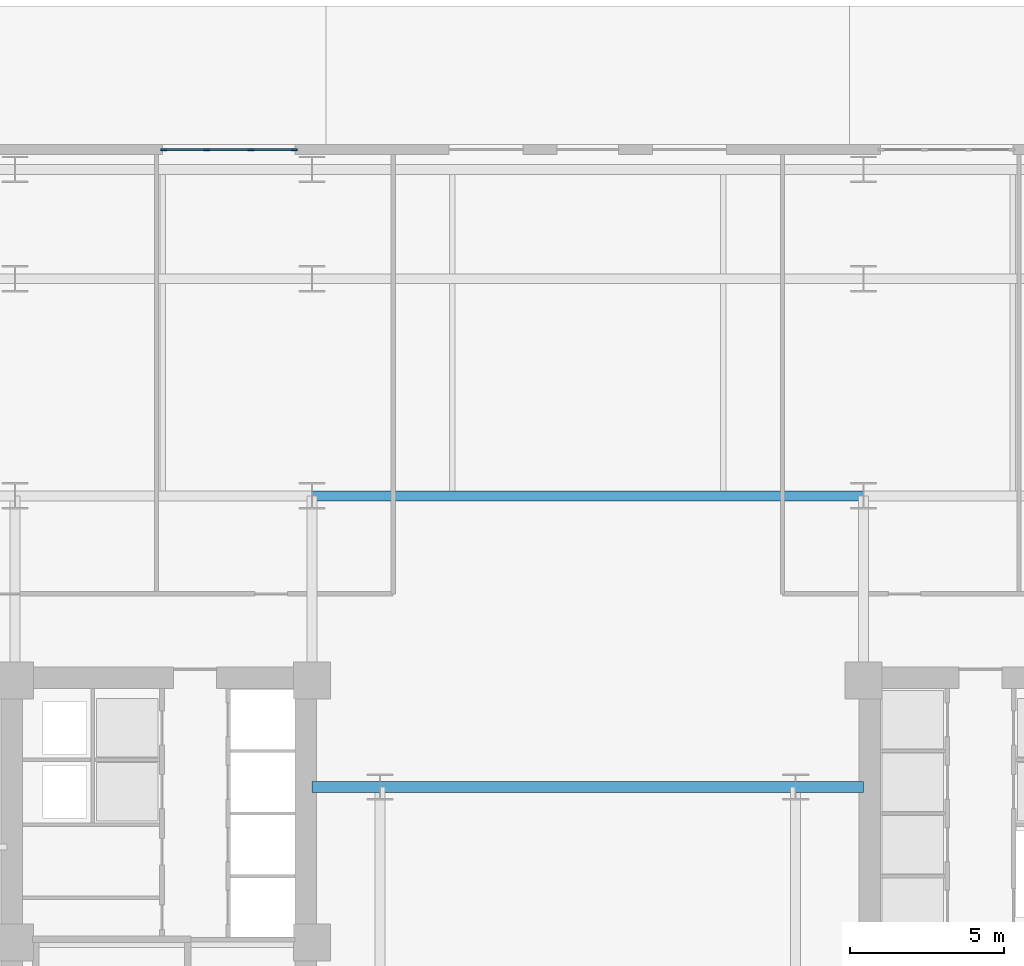
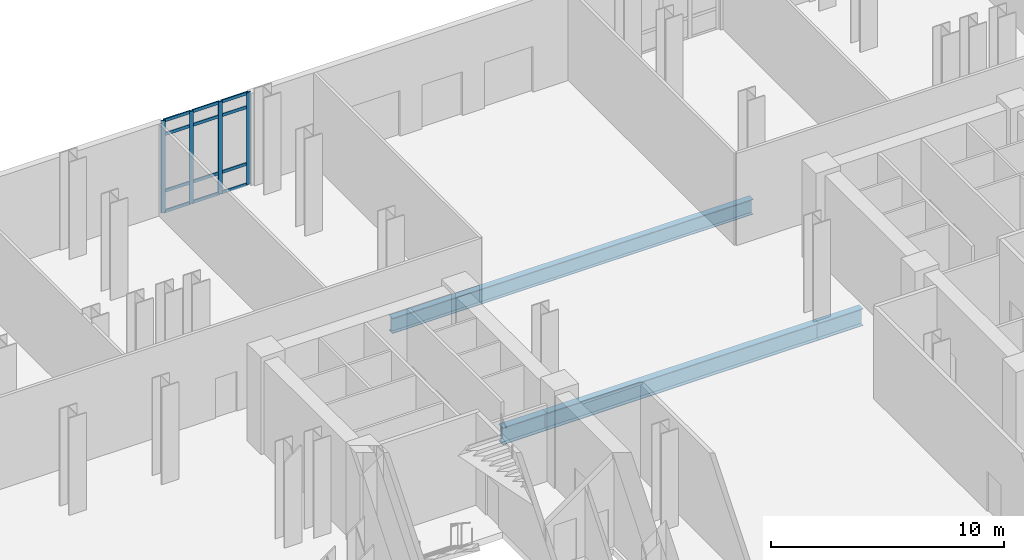
# One storey, part 6 of 21: 16 members, 4 beams, 1 element without a shape of its own.
"""IFC4 building model written with IfcOpenShell, lengths in metres."""

import ifcopenshell
import ifcopenshell.guid

model = None  # the IFC model being written
_history = None  # IfcOwnerHistory: only IFC2X3 demands one
_inside = {}  # id of a spatial element -> (the spatial element, [elements in it])
_under = {}  # id of a project, library or spatial element -> (it, [spatial elements below it])
_declared = {}  # id of a project -> (the project, [libraries it declares])
_typed = {}  # id of a type object -> (the type object, [elements of that type])
_made_of = {}  # id of a material, layer set ... -> (it, [elements and type objects made of it])


def new_model(schema):
    """Start an empty IFC model of exactly this schema.

    Asked for "IFC4X3", IfcOpenShell would pick the latest addendum, in which some entities
    have other attributes; the version numbers below select the first issue.
    IFC2X3 requires an IfcOwnerHistory on every rooted entity: one is made here for all.
    """
    global model, _history
    if schema == "IFC4X3":
        model = ifcopenshell.file(schema_version=(4, 3, 0, 0))
    else:
        model = ifcopenshell.file(schema=schema)
    _inside.clear()
    _under.clear()
    _declared.clear()
    _typed.clear()
    _made_of.clear()
    _history = None
    if model.schema == "IFC2X3":
        org = make("IfcOrganization", Name="unknown")
        user = make(
            "IfcPersonAndOrganization",
            ThePerson=make("IfcPerson", FamilyName="unknown"),
            TheOrganization=org,
        )
        app = make(
            "IfcApplication",
            ApplicationDeveloper=org,
            Version="unknown",
            ApplicationFullName="unknown",
            ApplicationIdentifier="unknown",
        )
        _history = make(
            "IfcOwnerHistory",
            OwningUser=user,
            OwningApplication=app,
            ChangeAction="ADDED",
            CreationDate=0,
        )
    return model


def make(cls, **values):
    """One entity of the class cls with the attributes given. An attribute that is None is left unset."""
    return model.create_entity(
        cls, **{name: value for name, value in values.items() if value is not None}
    )


def rooted(cls, **values):
    """An entity with a GlobalId (a new one), such as an element, a storey or a relation."""
    return make(cls, GlobalId=ifcopenshell.guid.new(), OwnerHistory=_history, **values)


def si_unit(unit_type, name, prefix=None):
    """IfcSIUnit, for example si_unit("LENGTHUNIT", "METRE", prefix="MILLI")."""
    return make("IfcSIUnit", UnitType=unit_type, Prefix=prefix, Name=name)


def assignment(units):
    """IfcUnitAssignment: the units of a project."""
    return None if units is None else make("IfcUnitAssignment", Units=units)


def point(xyz):
    """IfcCartesianPoint."""
    return None if xyz is None else make("IfcCartesianPoint", Coordinates=xyz)


def direction(xyz):
    """IfcDirection."""
    return None if xyz is None else make("IfcDirection", DirectionRatios=xyz)


def frame(location, z_axis=None, x_axis=None):
    """IfcAxis2Placement3D, a coordinate frame: its origin and axes. An axis left out is left unset."""
    return make(
        "IfcAxis2Placement3D",
        Location=point(location),
        Axis=direction(z_axis),
        RefDirection=direction(x_axis),
    )


def frame_2d(location, x_axis=None):
    """IfcAxis2Placement2D, a coordinate frame in the plane: its origin and x axis."""
    return make(
        "IfcAxis2Placement2D", Location=point(location), RefDirection=direction(x_axis)
    )


def origin():
    """The frame at (0, 0, 0) with its axes left unset."""
    return frame((0.0, 0.0, 0.0))


def origin_2d():
    """The frame at (0, 0) in the plane with its x axis left unset."""
    return frame_2d((0.0, 0.0))


def place(relative_to, where):
    """IfcLocalPlacement: puts the frame where relative to a parent placement (None: the world)."""
    return make(
        "IfcLocalPlacement", PlacementRelTo=relative_to, RelativePlacement=where
    )


def context(
    kind, dimensions, precision=None, world=None, true_north=None, identifier=None
):
    """IfcGeometricRepresentationContext, for example the 3D "Model" context."""
    return make(
        "IfcGeometricRepresentationContext",
        ContextIdentifier=identifier,
        ContextType=kind,
        CoordinateSpaceDimension=dimensions,
        Precision=precision,
        WorldCoordinateSystem=world,
        TrueNorth=true_north,
    )


def subcontext(parent, identifier, kind, view, scale=None):
    """IfcGeometricRepresentationSubContext, for example "Body" below "Model"."""
    return make(
        "IfcGeometricRepresentationSubContext",
        ContextIdentifier=identifier,
        ContextType=kind,
        ParentContext=parent,
        TargetScale=scale,
        TargetView=view,
    )


def project(units=None, contexts=None):
    """IfcProject with its units and contexts."""
    return rooted(
        "IfcProject",
        Name="project",
        RepresentationContexts=contexts,
        UnitsInContext=assignment(units),
    )


def spatial(cls, under=None, at=None, **own):
    """A site, building, storey or space (cls), placed at a placement, below another one or the project."""
    s = rooted(cls, ObjectPlacement=at, **own)
    if under is not None:
        _under.setdefault(under.id(), (under, []))[1].append(s)
    return s


def profile(cls, at=None, kind="AREA", **sizes):
    """A parametric profile (cls). Its sizes go by their IFC names, for example OverallWidth=200.0."""
    return make(cls, ProfileType=kind, Position=at, **sizes)


def rectangle(**sizes):
    """IfcRectangleProfileDef."""
    return profile("IfcRectangleProfileDef", **sizes)


def i_section(**sizes):
    """IfcIShapeProfileDef."""
    return profile("IfcIShapeProfileDef", **sizes)


def extrude(swept, where, along, depth):
    """IfcExtrudedAreaSolid: the profile swept, set in the frame where, extruded along a direction by depth."""
    return make(
        "IfcExtrudedAreaSolid",
        SweptArea=swept,
        Position=where,
        ExtrudedDirection=direction(along),
        Depth=depth,
    )


def shape(context_of_items, identifier, shape_type, items):
    """IfcShapeRepresentation: the items that make up one representation, for example the "Body"."""
    return make(
        "IfcShapeRepresentation",
        ContextOfItems=context_of_items,
        RepresentationIdentifier=identifier,
        RepresentationType=shape_type,
        Items=items,
    )


def material(Name=None, Category=None):
    """IfcMaterial."""
    return make("IfcMaterial", Name=Name, Category=Category)


def layer(
    of_material, thickness, ventilated=None, Name=None, Category=None, Priority=None
):
    """IfcMaterialLayer: one layer of a wall or slab, of a material (None: an air gap)."""
    return make(
        "IfcMaterialLayer",
        Material=of_material,
        LayerThickness=thickness,
        IsVentilated=ventilated,
        Name=Name,
        Category=Category,
        Priority=Priority,
    )


def layer_set(layers, Name=None):
    """IfcMaterialLayerSet."""
    return make("IfcMaterialLayerSet", MaterialLayers=layers, LayerSetName=Name)


def material_profile(
    of_material, cross_section, Name=None, Category=None, Priority=None
):
    """IfcMaterialProfile: a cross section and its material."""
    return make(
        "IfcMaterialProfile",
        Name=Name,
        Material=of_material,
        Profile=cross_section,
        Priority=Priority,
        Category=Category,
    )


def profile_set(profiles, Name=None, composite=None):
    """IfcMaterialProfileSet."""
    return make(
        "IfcMaterialProfileSet",
        Name=Name,
        MaterialProfiles=profiles,
        CompositeProfile=composite,
    )


def made_of(thing, what):
    """Note that an element or type object is made of a material, layer set ...; save() writes the relation."""
    if what is not None:
        _made_of.setdefault(what.id(), (what, []))[1].append(thing)
    return thing


def type_object(cls, material=None, **own):
    """A type object (cls), such as IfcWallType, which elements share."""
    return made_of(rooted(cls, **own), material)


def element(
    cls,
    number,
    at=None,
    inside=None,
    cuts=None,
    type_object=None,
    material=None,
    context=None,
    identifier="Body",
    shape_type=None,
    held_by="IfcProductDefinitionShape",
    body=None,
    shapes=None,
    **own,
):
    """One element of the class cls, such as IfcWall. Its Tag is "e" and its number.

    at: its placement. inside: the storey or other place that contains it. cuts: it is an
    opening in that element (IfcRelVoidsElement). A single representation is given by context,
    identifier, shape_type and body (its items); several are given by shapes. held_by: the class
    of the entity that holds the representations. save() writes the other relations.
    """
    e = rooted(cls, Tag="e%d" % number, ObjectPlacement=at, **own)
    if body is not None:
        shapes = [shape(context, identifier, shape_type, body)]
    if shapes is not None:
        e.Representation = make(held_by, Representations=shapes)
    if inside is not None:
        _inside.setdefault(inside.id(), (inside, []))[1].append(e)
    if cuts is not None:
        rooted(
            "IfcRelVoidsElement", RelatingBuildingElement=cuts, RelatedOpeningElement=e
        )
    if type_object is not None:
        _typed.setdefault(type_object.id(), (type_object, []))[1].append(e)
    return made_of(e, material)


def aggregate(whole, parts):
    """IfcRelAggregates: a whole, such as a stair, and the parts it consists of."""
    return rooted("IfcRelAggregates", RelatingObject=whole, RelatedObjects=parts)


def save(model, path):
    """Write the relations noted so far, then the file.

    IfcRelAggregates (storeys below a building ...), IfcRelContainedInSpatialStructure (elements
    in a storey), IfcRelDefinesByType, IfcRelAssociatesMaterial and IfcRelDeclares: one each for
    every whole, place, type object, material and project.
    """
    for whole, parts in _under.values():
        aggregate(whole, parts)
    for where, things in _inside.values():
        rooted(
            "IfcRelContainedInSpatialStructure",
            RelatedElements=things,
            RelatingStructure=where,
        )
    for kind, things in _typed.values():
        rooted("IfcRelDefinesByType", RelatedObjects=things, RelatingType=kind)
    for what, things in _made_of.values():
        rooted("IfcRelAssociatesMaterial", RelatedObjects=things, RelatingMaterial=what)
    for by, libraries in _declared.values():
        rooted("IfcRelDeclares", RelatingContext=by, RelatedDefinitions=libraries)
    model.write(path)


model = new_model("IFC4")

# Units and contexts
model_context = context("Model", 3, precision=1e-05, world=origin(), true_north=direction((0.0, 1.0)))
body_context = subcontext(model_context, "Body", "Model", "MODEL_VIEW")
ifc_project = project(units=[si_unit("LENGTHUNIT", "METRE"), si_unit("AREAUNIT", "SQUARE_METRE"), si_unit("VOLUMEUNIT", "CUBIC_METRE"), si_unit("PLANEANGLEUNIT", "RADIAN"), si_unit("MASSUNIT", "GRAM", prefix="KILO")], contexts=[model_context])

# Site, building, storey
site_placement = place(None, origin())
site = spatial("IfcSite", under=ifc_project, at=site_placement, CompositionType="ELEMENT")
building_placement = place(site_placement, origin())
building = spatial("IfcBuilding", under=site, at=building_placement, Name="Velakula Bourse", CompositionType="ELEMENT")
storey_placement = place(building_placement, origin())
storey = spatial("IfcBuildingStorey", under=building, at=storey_placement, Name="L00", CompositionType="ELEMENT", Elevation=0.0)

# Beams
ifc_material_1 = material(Name="Steel IS 2062 Grade 350 (E350)", Category="steel")
ifc_material_profile_1 = material_profile(ifc_material_1, i_section(OverallWidth=0.35009765625, OverallDepth=0.89990234375, WebThickness=0.02001953125, FlangeThickness=0.031982421875, at=origin_2d()), Name="Steel IS 2062 Grade 350 (E350)")
ifc_profile_set_1 = profile_set([ifc_material_profile_1], Name="Steel IS 2062 Grade 350 (E350)")
beam_type_1 = type_object("IfcBeamType", Name="BM-LNK-900", PredefinedType="BEAM", material=ifc_profile_set_1)
beam_1_placement = place(storey_placement, frame((-8.949951171875, 5.14990234375, -0.800048828125), z_axis=(1.0, 0.0, 0.0), x_axis=(0.0, 1.0, 0.0)))
element("IfcBeam", 1, at=beam_1_placement, inside=storey, type_object=beam_type_1, Name="L00 Primary Backbone Girder LNK-N1", PredefinedType="BEAM", context=body_context, shape_type="SweptSolid", body=[
    extrude(i_section(OverallWidth=0.35009765625, OverallDepth=0.89990234375, WebThickness=0.02001953125, FlangeThickness=0.031982421875, at=origin_2d()), origin(), (0.0, 0.0, 1.0), 2.199951171875),
])
beam_2_placement = place(storey_placement, frame((-6.75, 5.14990234375, -0.800048828125), z_axis=(1.0, 0.0, 0.0), x_axis=(0.0, 1.0, 0.0)))
element("IfcBeam", 2, at=beam_2_placement, inside=storey, type_object=beam_type_1, Name="L00 Primary Backbone Girder LNK-N2", PredefinedType="BEAM", context=body_context, shape_type="SweptSolid", body=[
    extrude(i_section(OverallWidth=0.35009765625, OverallDepth=0.89990234375, WebThickness=0.02001953125, FlangeThickness=0.031982421875, at=origin_2d()), origin(), (0.0, 0.0, 1.0), 13.5),
])
beam_3_placement = place(storey_placement, frame((6.75, 5.14990234375, -0.800048828125), z_axis=(1.0, 0.0, 0.0), x_axis=(0.0, 1.0, 0.0)))
element("IfcBeam", 3, at=beam_3_placement, inside=storey, type_object=beam_type_1, Name="L00 Primary Backbone Girder LNK-N3", PredefinedType="BEAM", context=body_context, shape_type="SweptSolid", body=[
    extrude(i_section(OverallWidth=0.35009765625, OverallDepth=0.89990234375, WebThickness=0.02001953125, FlangeThickness=0.031982421875, at=origin_2d()), origin(), (0.0, 0.0, 1.0), 2.199951171875),
])
ifc_material_profile_2 = material_profile(ifc_material_1, i_section(OverallWidth=0.320068359375, OverallDepth=0.800048828125, WebThickness=0.01806640625, FlangeThickness=0.028076171875, at=origin_2d()), Name="Steel IS 2062 Grade 350 (E350)")
ifc_profile_set_2 = profile_set([ifc_material_profile_2], Name="Steel IS 2062 Grade 350 (E350)")
beam_type_2 = type_object("IfcBeamType", Name="BM-POD-800", PredefinedType="BEAM", material=ifc_profile_set_2)
beam_4_placement = place(storey_placement, frame((-8.949951171875, 14.60009765625, -0.75), z_axis=(1.0, 0.0, 0.0), x_axis=(0.0, 1.0, 0.0)))
element("IfcBeam", 4, at=beam_4_placement, inside=storey, type_object=beam_type_2, Name="L00 Fulcrum Grid Girder FLC-N2", PredefinedType="BEAM", context=body_context, shape_type="SweptSolid", body=[
    extrude(i_section(OverallWidth=0.320068359375, OverallDepth=0.800048828125, WebThickness=0.01806640625, FlangeThickness=0.028076171875, at=origin_2d()), origin(), (0.0, 0.0, 1.0), 17.89990234375),
])

# Curtain wall, members
ifc_material_2 = material(Name="Anodised bronze architectural aluminium", Category="aluminium")
ifc_layer = layer(ifc_material_2, 0.199951171875, Name="Anodised bronze architectural aluminium", Category="aluminium")
ifc_layer_set = layer_set([ifc_layer], Name="Anodised bronze architectural aluminium")
curtain_wall_type = type_object("IfcCurtainWallType", Name="CW-ST1", PredefinedType="NOTDEFINED", material=ifc_layer_set)
curtain_wall_placement = place(storey_placement, origin())
curtain_wall = element("IfcCurtainWall", 5, at=curtain_wall_placement, inside=storey, type_object=curtain_wall_type, Name="L00 North Station Galleria Curtain Wall 2", PredefinedType="NOTDEFINED")
ifc_material_profile_3 = material_profile(ifc_material_2, rectangle(XDim=0.06005859375, YDim=0.199951171875, at=origin_2d()), Name="Anodised bronze architectural aluminium")
ifc_profile_set_3 = profile_set([ifc_material_profile_3], Name="Anodised bronze architectural aluminium")
member_type_1 = type_object("IfcMemberType", Name="MUL-CW-ST1", PredefinedType="MULLION", material=ifc_profile_set_3)
member_1_placement = place(storey_placement, frame((-13.77001953125, 25.840087890625, 0.0), z_axis=(0.0, 0.0, 1.0), x_axis=(0.0, 1.0, 0.0)))
member_1 = element("IfcMember", 6, at=member_1_placement, type_object=member_type_1, Name="CW-ST1 mullion 1", PredefinedType="MULLION", context=body_context, shape_type="SweptSolid", body=[
    extrude(rectangle(XDim=0.06005859375, YDim=0.199951171875, at=origin_2d()), origin(), (0.0, 0.0, 1.0), 4.830078125),
])
member_2_placement = place(storey_placement, frame((-12.36669921875, 25.840087890625, 0.0), z_axis=(0.0, 0.0, 1.0), x_axis=(0.0, 1.0, 0.0)))
member_2 = element("IfcMember", 7, at=member_2_placement, type_object=member_type_1, Name="CW-ST1 mullion 2", PredefinedType="MULLION", context=body_context, shape_type="SweptSolid", body=[
    extrude(rectangle(XDim=0.06005859375, YDim=0.199951171875, at=origin_2d()), origin(), (0.0, 0.0, 1.0), 4.830078125),
])
member_3_placement = place(storey_placement, frame((-10.933349609375, 25.840087890625, 0.0), z_axis=(0.0, 0.0, 1.0), x_axis=(0.0, 1.0, 0.0)))
member_3 = element("IfcMember", 8, at=member_3_placement, type_object=member_type_1, Name="CW-ST1 mullion 3", PredefinedType="MULLION", context=body_context, shape_type="SweptSolid", body=[
    extrude(rectangle(XDim=0.06005859375, YDim=0.199951171875, at=origin_2d()), origin(), (0.0, 0.0, 1.0), 4.830078125),
])
member_4_placement = place(storey_placement, frame((-9.530029296875, 25.840087890625, 0.0), z_axis=(0.0, 0.0, 1.0), x_axis=(0.0, 1.0, 0.0)))
member_4 = element("IfcMember", 9, at=member_4_placement, type_object=member_type_1, Name="CW-ST1 mullion 4", PredefinedType="MULLION", context=body_context, shape_type="SweptSolid", body=[
    extrude(rectangle(XDim=0.06005859375, YDim=0.199951171875, at=origin_2d()), origin(), (0.0, 0.0, 1.0), 4.830078125),
])
ifc_material_profile_4 = material_profile(ifc_material_2, rectangle(XDim=0.06005859375, YDim=0.159912109375, at=origin_2d()), Name="Anodised bronze architectural aluminium")
ifc_profile_set_4 = profile_set([ifc_material_profile_4], Name="Anodised bronze architectural aluminium")
member_type_2 = type_object("IfcMemberType", Name="TRN-CW-ST1", PredefinedType="USERDEFINED", material=ifc_profile_set_4)
member_5_placement = place(storey_placement, frame((-13.739990234375, 25.840087890625, 0.030029296875), z_axis=(1.0, 0.0, 0.0), x_axis=(0.0, 1.0, 0.0)))
member_5 = element("IfcMember", 10, at=member_5_placement, type_object=member_type_2, Name="CW-ST1 transom 1.1", ObjectType="TRANSOM", PredefinedType="USERDEFINED", context=body_context, shape_type="SweptSolid", body=[
    extrude(rectangle(XDim=0.06005859375, YDim=0.159912109375, at=origin_2d()), origin(), (0.0, 0.0, 1.0), 1.34326171875),
])
member_6_placement = place(storey_placement, frame((-13.739990234375, 25.840087890625, 1.10009765625), z_axis=(1.0, 0.0, 0.0), x_axis=(0.0, 1.0, 0.0)))
member_6 = element("IfcMember", 11, at=member_6_placement, type_object=member_type_2, Name="CW-ST1 transom 1.2", ObjectType="TRANSOM", PredefinedType="USERDEFINED", context=body_context, shape_type="SweptSolid", body=[
    extrude(rectangle(XDim=0.06005859375, YDim=0.159912109375, at=origin_2d()), origin(), (0.0, 0.0, 1.0), 1.34326171875),
])
member_7_placement = place(storey_placement, frame((-13.739990234375, 25.840087890625, 4.080078125), z_axis=(1.0, 0.0, 0.0), x_axis=(0.0, 1.0, 0.0)))
member_7 = element("IfcMember", 12, at=member_7_placement, type_object=member_type_2, Name="CW-ST1 transom 1.3", ObjectType="TRANSOM", PredefinedType="USERDEFINED", context=body_context, shape_type="SweptSolid", body=[
    extrude(rectangle(XDim=0.06005859375, YDim=0.159912109375, at=origin_2d()), origin(), (0.0, 0.0, 1.0), 1.34326171875),
])
member_8_placement = place(storey_placement, frame((-13.739990234375, 25.840087890625, 4.800048828125), z_axis=(1.0, 0.0, 0.0), x_axis=(0.0, 1.0, 0.0)))
member_8 = element("IfcMember", 13, at=member_8_placement, type_object=member_type_2, Name="CW-ST1 transom 1.4", ObjectType="TRANSOM", PredefinedType="USERDEFINED", context=body_context, shape_type="SweptSolid", body=[
    extrude(rectangle(XDim=0.06005859375, YDim=0.159912109375, at=origin_2d()), origin(), (0.0, 0.0, 1.0), 1.34326171875),
])
member_9_placement = place(storey_placement, frame((-12.336669921875, 25.840087890625, 0.030029296875), z_axis=(1.0, 0.0, 0.0), x_axis=(0.0, 1.0, 0.0)))
member_9 = element("IfcMember", 14, at=member_9_placement, type_object=member_type_2, Name="CW-ST1 transom 2.1", ObjectType="TRANSOM", PredefinedType="USERDEFINED", context=body_context, shape_type="SweptSolid", body=[
    extrude(rectangle(XDim=0.06005859375, YDim=0.159912109375, at=origin_2d()), origin(), (0.0, 0.0, 1.0), 1.373291015625),
])
member_10_placement = place(storey_placement, frame((-12.336669921875, 25.840087890625, 1.10009765625), z_axis=(1.0, 0.0, 0.0), x_axis=(0.0, 1.0, 0.0)))
member_10 = element("IfcMember", 15, at=member_10_placement, type_object=member_type_2, Name="CW-ST1 transom 2.2", ObjectType="TRANSOM", PredefinedType="USERDEFINED", context=body_context, shape_type="SweptSolid", body=[
    extrude(rectangle(XDim=0.06005859375, YDim=0.159912109375, at=origin_2d()), origin(), (0.0, 0.0, 1.0), 1.373291015625),
])
member_11_placement = place(storey_placement, frame((-12.336669921875, 25.840087890625, 4.080078125), z_axis=(1.0, 0.0, 0.0), x_axis=(0.0, 1.0, 0.0)))
member_11 = element("IfcMember", 16, at=member_11_placement, type_object=member_type_2, Name="CW-ST1 transom 2.3", ObjectType="TRANSOM", PredefinedType="USERDEFINED", context=body_context, shape_type="SweptSolid", body=[
    extrude(rectangle(XDim=0.06005859375, YDim=0.159912109375, at=origin_2d()), origin(), (0.0, 0.0, 1.0), 1.373291015625),
])
member_12_placement = place(storey_placement, frame((-12.336669921875, 25.840087890625, 4.800048828125), z_axis=(1.0, 0.0, 0.0), x_axis=(0.0, 1.0, 0.0)))
member_12 = element("IfcMember", 17, at=member_12_placement, type_object=member_type_2, Name="CW-ST1 transom 2.4", ObjectType="TRANSOM", PredefinedType="USERDEFINED", context=body_context, shape_type="SweptSolid", body=[
    extrude(rectangle(XDim=0.06005859375, YDim=0.159912109375, at=origin_2d()), origin(), (0.0, 0.0, 1.0), 1.373291015625),
])
member_13_placement = place(storey_placement, frame((-10.9033203125, 25.840087890625, 0.030029296875), z_axis=(1.0, 0.0, 0.0), x_axis=(0.0, 1.0, 0.0)))
member_13 = element("IfcMember", 18, at=member_13_placement, type_object=member_type_2, Name="CW-ST1 transom 3.1", ObjectType="TRANSOM", PredefinedType="USERDEFINED", context=body_context, shape_type="SweptSolid", body=[
    extrude(rectangle(XDim=0.06005859375, YDim=0.159912109375, at=origin_2d()), origin(), (0.0, 0.0, 1.0), 1.34326171875),
])
member_14_placement = place(storey_placement, frame((-10.9033203125, 25.840087890625, 1.10009765625), z_axis=(1.0, 0.0, 0.0), x_axis=(0.0, 1.0, 0.0)))
member_14 = element("IfcMember", 19, at=member_14_placement, type_object=member_type_2, Name="CW-ST1 transom 3.2", ObjectType="TRANSOM", PredefinedType="USERDEFINED", context=body_context, shape_type="SweptSolid", body=[
    extrude(rectangle(XDim=0.06005859375, YDim=0.159912109375, at=origin_2d()), origin(), (0.0, 0.0, 1.0), 1.34326171875),
])
member_15_placement = place(storey_placement, frame((-10.9033203125, 25.840087890625, 4.080078125), z_axis=(1.0, 0.0, 0.0), x_axis=(0.0, 1.0, 0.0)))
member_15 = element("IfcMember", 20, at=member_15_placement, type_object=member_type_2, Name="CW-ST1 transom 3.3", ObjectType="TRANSOM", PredefinedType="USERDEFINED", context=body_context, shape_type="SweptSolid", body=[
    extrude(rectangle(XDim=0.06005859375, YDim=0.159912109375, at=origin_2d()), origin(), (0.0, 0.0, 1.0), 1.34326171875),
])
member_16_placement = place(storey_placement, frame((-10.9033203125, 25.840087890625, 4.800048828125), z_axis=(1.0, 0.0, 0.0), x_axis=(0.0, 1.0, 0.0)))
member_16 = element("IfcMember", 21, at=member_16_placement, type_object=member_type_2, Name="CW-ST1 transom 3.4", ObjectType="TRANSOM", PredefinedType="USERDEFINED", context=body_context, shape_type="SweptSolid", body=[
    extrude(rectangle(XDim=0.06005859375, YDim=0.159912109375, at=origin_2d()), origin(), (0.0, 0.0, 1.0), 1.34326171875),
])
aggregate(curtain_wall, [member_1, member_2, member_3, member_4, member_5, member_6, member_7, member_8, member_9, member_10, member_11, member_12, member_13, member_14, member_15, member_16])

save(model, "model.ifc")
